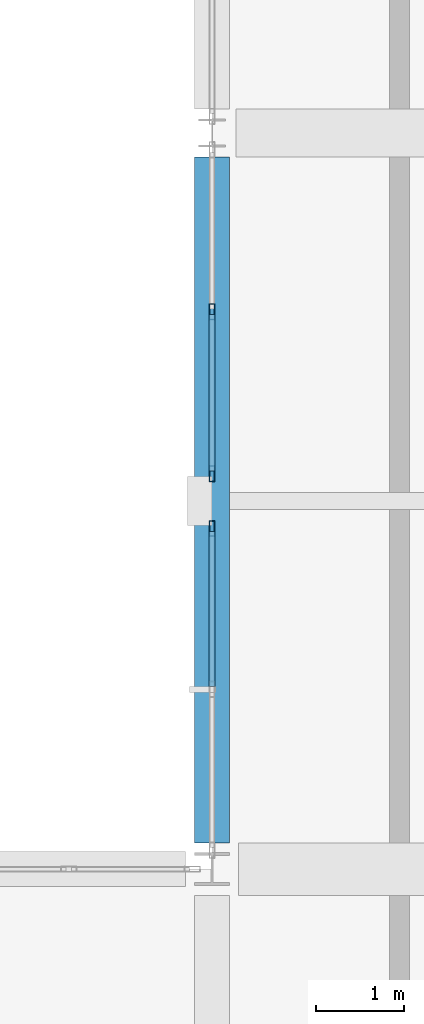
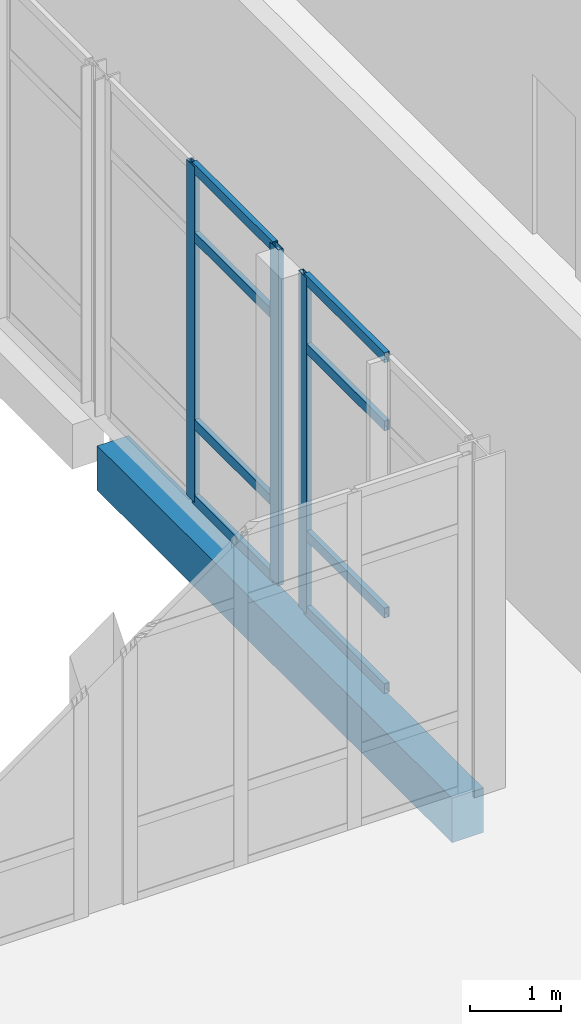
# One storey, part 21 of 102: 11 members, 1 beam, 2 elements without a shape of their own.
"""IFC4 building model written with IfcOpenShell, lengths in metres."""

import ifcopenshell
import ifcopenshell.guid

model = None  # the IFC model being written
_history = None  # IfcOwnerHistory: only IFC2X3 demands one
_inside = {}  # id of a spatial element -> (the spatial element, [elements in it])
_under = {}  # id of a project, library or spatial element -> (it, [spatial elements below it])
_declared = {}  # id of a project -> (the project, [libraries it declares])
_typed = {}  # id of a type object -> (the type object, [elements of that type])
_made_of = {}  # id of a material, layer set ... -> (it, [elements and type objects made of it])


def new_model(schema):
    """Start an empty IFC model of exactly this schema.

    Asked for "IFC4X3", IfcOpenShell would pick the latest addendum, in which some entities
    have other attributes; the version numbers below select the first issue.
    IFC2X3 requires an IfcOwnerHistory on every rooted entity: one is made here for all.
    """
    global model, _history
    if schema == "IFC4X3":
        model = ifcopenshell.file(schema_version=(4, 3, 0, 0))
    else:
        model = ifcopenshell.file(schema=schema)
    _inside.clear()
    _under.clear()
    _declared.clear()
    _typed.clear()
    _made_of.clear()
    _history = None
    if model.schema == "IFC2X3":
        org = make("IfcOrganization", Name="unknown")
        user = make(
            "IfcPersonAndOrganization",
            ThePerson=make("IfcPerson", FamilyName="unknown"),
            TheOrganization=org,
        )
        app = make(
            "IfcApplication",
            ApplicationDeveloper=org,
            Version="unknown",
            ApplicationFullName="unknown",
            ApplicationIdentifier="unknown",
        )
        _history = make(
            "IfcOwnerHistory",
            OwningUser=user,
            OwningApplication=app,
            ChangeAction="ADDED",
            CreationDate=0,
        )
    return model


def make(cls, **values):
    """One entity of the class cls with the attributes given. An attribute that is None is left unset."""
    return model.create_entity(
        cls, **{name: value for name, value in values.items() if value is not None}
    )


def rooted(cls, **values):
    """An entity with a GlobalId (a new one), such as an element, a storey or a relation."""
    return make(cls, GlobalId=ifcopenshell.guid.new(), OwnerHistory=_history, **values)


def si_unit(unit_type, name, prefix=None):
    """IfcSIUnit, for example si_unit("LENGTHUNIT", "METRE", prefix="MILLI")."""
    return make("IfcSIUnit", UnitType=unit_type, Prefix=prefix, Name=name)


def assignment(units):
    """IfcUnitAssignment: the units of a project."""
    return None if units is None else make("IfcUnitAssignment", Units=units)


def point(xyz):
    """IfcCartesianPoint."""
    return None if xyz is None else make("IfcCartesianPoint", Coordinates=xyz)


def direction(xyz):
    """IfcDirection."""
    return None if xyz is None else make("IfcDirection", DirectionRatios=xyz)


def frame(location, z_axis=None, x_axis=None):
    """IfcAxis2Placement3D, a coordinate frame: its origin and axes. An axis left out is left unset."""
    return make(
        "IfcAxis2Placement3D",
        Location=point(location),
        Axis=direction(z_axis),
        RefDirection=direction(x_axis),
    )


def frame_2d(location, x_axis=None):
    """IfcAxis2Placement2D, a coordinate frame in the plane: its origin and x axis."""
    return make(
        "IfcAxis2Placement2D", Location=point(location), RefDirection=direction(x_axis)
    )


def origin():
    """The frame at (0, 0, 0) with its axes left unset."""
    return frame((0.0, 0.0, 0.0))


def origin_2d():
    """The frame at (0, 0) in the plane with its x axis left unset."""
    return frame_2d((0.0, 0.0))


def place(relative_to, where):
    """IfcLocalPlacement: puts the frame where relative to a parent placement (None: the world)."""
    return make(
        "IfcLocalPlacement", PlacementRelTo=relative_to, RelativePlacement=where
    )


def context(
    kind, dimensions, precision=None, world=None, true_north=None, identifier=None
):
    """IfcGeometricRepresentationContext, for example the 3D "Model" context."""
    return make(
        "IfcGeometricRepresentationContext",
        ContextIdentifier=identifier,
        ContextType=kind,
        CoordinateSpaceDimension=dimensions,
        Precision=precision,
        WorldCoordinateSystem=world,
        TrueNorth=true_north,
    )


def subcontext(parent, identifier, kind, view, scale=None):
    """IfcGeometricRepresentationSubContext, for example "Body" below "Model"."""
    return make(
        "IfcGeometricRepresentationSubContext",
        ContextIdentifier=identifier,
        ContextType=kind,
        ParentContext=parent,
        TargetScale=scale,
        TargetView=view,
    )


def project(units=None, contexts=None):
    """IfcProject with its units and contexts."""
    return rooted(
        "IfcProject",
        Name="project",
        RepresentationContexts=contexts,
        UnitsInContext=assignment(units),
    )


def spatial(cls, under=None, at=None, **own):
    """A site, building, storey or space (cls), placed at a placement, below another one or the project."""
    s = rooted(cls, ObjectPlacement=at, **own)
    if under is not None:
        _under.setdefault(under.id(), (under, []))[1].append(s)
    return s


def profile(cls, at=None, kind="AREA", **sizes):
    """A parametric profile (cls). Its sizes go by their IFC names, for example OverallWidth=200.0."""
    return make(cls, ProfileType=kind, Position=at, **sizes)


def rectangle(**sizes):
    """IfcRectangleProfileDef."""
    return profile("IfcRectangleProfileDef", **sizes)


def hollow_rectangle(**sizes):
    """IfcRectangleHollowProfileDef."""
    return profile("IfcRectangleHollowProfileDef", **sizes)


def extrude(swept, where, along, depth):
    """IfcExtrudedAreaSolid: the profile swept, set in the frame where, extruded along a direction by depth."""
    return make(
        "IfcExtrudedAreaSolid",
        SweptArea=swept,
        Position=where,
        ExtrudedDirection=direction(along),
        Depth=depth,
    )


def shape(context_of_items, identifier, shape_type, items):
    """IfcShapeRepresentation: the items that make up one representation, for example the "Body"."""
    return make(
        "IfcShapeRepresentation",
        ContextOfItems=context_of_items,
        RepresentationIdentifier=identifier,
        RepresentationType=shape_type,
        Items=items,
    )


def material(Name=None, Category=None):
    """IfcMaterial."""
    return make("IfcMaterial", Name=Name, Category=Category)


def layer(
    of_material, thickness, ventilated=None, Name=None, Category=None, Priority=None
):
    """IfcMaterialLayer: one layer of a wall or slab, of a material (None: an air gap)."""
    return make(
        "IfcMaterialLayer",
        Material=of_material,
        LayerThickness=thickness,
        IsVentilated=ventilated,
        Name=Name,
        Category=Category,
        Priority=Priority,
    )


def layer_set(layers, Name=None):
    """IfcMaterialLayerSet."""
    return make("IfcMaterialLayerSet", MaterialLayers=layers, LayerSetName=Name)


def material_profile(
    of_material, cross_section, Name=None, Category=None, Priority=None
):
    """IfcMaterialProfile: a cross section and its material."""
    return make(
        "IfcMaterialProfile",
        Name=Name,
        Material=of_material,
        Profile=cross_section,
        Priority=Priority,
        Category=Category,
    )


def profile_set(profiles, Name=None, composite=None):
    """IfcMaterialProfileSet."""
    return make(
        "IfcMaterialProfileSet",
        Name=Name,
        MaterialProfiles=profiles,
        CompositeProfile=composite,
    )


def made_of(thing, what):
    """Note that an element or type object is made of a material, layer set ...; save() writes the relation."""
    if what is not None:
        _made_of.setdefault(what.id(), (what, []))[1].append(thing)
    return thing


def type_object(cls, material=None, **own):
    """A type object (cls), such as IfcWallType, which elements share."""
    return made_of(rooted(cls, **own), material)


def element(
    cls,
    number,
    at=None,
    inside=None,
    cuts=None,
    type_object=None,
    material=None,
    context=None,
    identifier="Body",
    shape_type=None,
    held_by="IfcProductDefinitionShape",
    body=None,
    shapes=None,
    **own,
):
    """One element of the class cls, such as IfcWall. Its Tag is "e" and its number.

    at: its placement. inside: the storey or other place that contains it. cuts: it is an
    opening in that element (IfcRelVoidsElement). A single representation is given by context,
    identifier, shape_type and body (its items); several are given by shapes. held_by: the class
    of the entity that holds the representations. save() writes the other relations.
    """
    e = rooted(cls, Tag="e%d" % number, ObjectPlacement=at, **own)
    if body is not None:
        shapes = [shape(context, identifier, shape_type, body)]
    if shapes is not None:
        e.Representation = make(held_by, Representations=shapes)
    if inside is not None:
        _inside.setdefault(inside.id(), (inside, []))[1].append(e)
    if cuts is not None:
        rooted(
            "IfcRelVoidsElement", RelatingBuildingElement=cuts, RelatedOpeningElement=e
        )
    if type_object is not None:
        _typed.setdefault(type_object.id(), (type_object, []))[1].append(e)
    return made_of(e, material)


def aggregate(whole, parts):
    """IfcRelAggregates: a whole, such as a stair, and the parts it consists of."""
    return rooted("IfcRelAggregates", RelatingObject=whole, RelatedObjects=parts)


def save(model, path):
    """Write the relations noted so far, then the file.

    IfcRelAggregates (storeys below a building ...), IfcRelContainedInSpatialStructure (elements
    in a storey), IfcRelDefinesByType, IfcRelAssociatesMaterial and IfcRelDeclares: one each for
    every whole, place, type object, material and project.
    """
    for whole, parts in _under.values():
        aggregate(whole, parts)
    for where, things in _inside.values():
        rooted(
            "IfcRelContainedInSpatialStructure",
            RelatedElements=things,
            RelatingStructure=where,
        )
    for kind, things in _typed.values():
        rooted("IfcRelDefinesByType", RelatedObjects=things, RelatingType=kind)
    for what, things in _made_of.values():
        rooted("IfcRelAssociatesMaterial", RelatedObjects=things, RelatingMaterial=what)
    for by, libraries in _declared.values():
        rooted("IfcRelDeclares", RelatingContext=by, RelatedDefinitions=libraries)
    model.write(path)


model = new_model("IFC4")

# Units and contexts
model_context = context("Model", 3, precision=1e-05, world=origin(), true_north=direction((0.0, 1.0)))
body_context = subcontext(model_context, "Body", "Model", "MODEL_VIEW")
ifc_project = project(units=[si_unit("LENGTHUNIT", "METRE"), si_unit("AREAUNIT", "SQUARE_METRE"), si_unit("VOLUMEUNIT", "CUBIC_METRE"), si_unit("PLANEANGLEUNIT", "RADIAN"), si_unit("MASSUNIT", "GRAM", prefix="KILO")], contexts=[model_context])

# Site, building, storey
site_placement = place(None, origin())
site = spatial("IfcSite", under=ifc_project, at=site_placement, CompositionType="ELEMENT")
building_placement = place(site_placement, origin())
building = spatial("IfcBuilding", under=site, at=building_placement, Name="Lornevale Opera House", CompositionType="ELEMENT")
storey_placement = place(building_placement, frame((0.0, 0.0, 5.39990234375)))
storey = spatial("IfcBuildingStorey", under=building, at=storey_placement, Name="L02", CompositionType="ELEMENT", Elevation=5.39990234375)

# Beam
ifc_material_1 = material(Name="Concrete 35 MPa (CSA A23.1 N)", Category="concrete")
ifc_material_profile_1 = material_profile(ifc_material_1, rectangle(XDim=0.39990234375, YDim=0.60009765625, at=origin_2d()), Name="RC400x600")
ifc_profile_set_1 = profile_set([ifc_material_profile_1], Name="Concrete 35 MPa (CSA A23.1 N)")
beam_type = type_object("IfcBeamType", Name="Concrete Spandrel Beam 400x600", PredefinedType="SPANDREL", material=ifc_profile_set_1)
beam_placement = place(storey_placement, frame((28.800048828125, 25.5, -0.599853515625), z_axis=(0.0, 1.0, 0.0), x_axis=(-1.0, 0.0, 0.0)))
element("IfcBeam", 1, at=beam_placement, inside=storey, type_object=beam_type, Name="Concrete Spandrel Beam 400x600 1848", PredefinedType="SPANDREL", context=body_context, shape_type="SweptSolid", body=[
    extrude(rectangle(XDim=0.39990234375, YDim=0.60009765625, at=origin_2d()), origin(), (0.0, 0.0, 1.0), 7.824951171875),
])

# Curtain wall, member
ifc_material_2 = material(Name="Anodized Oxide-Green Aluminium Framing", Category="aluminium")
ifc_layer = layer(ifc_material_2, 0.175048828125)
ifc_layer_set = layer_set([ifc_layer], Name="Anodized Oxide-Green Aluminium Framing")
curtain_wall_type = type_object("IfcCurtainWallType", Name="Chamber Cloister Curtain Wall M1700", PredefinedType="NOTDEFINED", material=ifc_layer_set)
curtain_wall_1_placement = place(storey_placement, origin())
curtain_wall_1 = element("IfcCurtainWall", 2, at=curtain_wall_1_placement, inside=storey, type_object=curtain_wall_type, Name="Chamber Cloister Curtain Wall M1700 CW-051", PredefinedType="NOTDEFINED")
ifc_material_profile_2 = material_profile(ifc_material_2, hollow_rectangle(XDim=0.06494140625, YDim=0.179931640625, WallThickness=0.0048828125, at=origin_2d()), Name="ALU65x180x5")
ifc_profile_set_2 = profile_set([ifc_material_profile_2], Name="Anodized Oxide-Green Aluminium Framing")
member_type_1 = type_object("IfcMemberType", Name="Curtain Wall Mullion 65x180", PredefinedType="MULLION", material=ifc_profile_set_2)
member_1_placement = place(storey_placement, frame((28.800048828125, 29.08740234375, 0.0), z_axis=(0.0, 0.0, 1.0), x_axis=(-1.0, 0.0, 0.0)))
member_1 = element("IfcMember", 3, at=member_1_placement, type_object=member_type_1, Name="Curtain Wall Mullion 65x180 CW1045", PredefinedType="MULLION", context=body_context, shape_type="SweptSolid", body=[
    extrude(hollow_rectangle(XDim=0.06494140625, YDim=0.179931640625, WallThickness=0.0048828125, at=origin_2d()), origin(), (0.0, 0.0, 1.0), 4.52001953125),
])

# Curtain wall, members
curtain_wall_2_placement = place(storey_placement, origin())
curtain_wall_2 = element("IfcCurtainWall", 4, at=curtain_wall_2_placement, inside=storey, type_object=curtain_wall_type, Name="Chamber Cloister Curtain Wall M1700 CW-052", PredefinedType="NOTDEFINED")
member_2_placement = place(storey_placement, frame((28.800048828125, 29.71240234375, 0.0), z_axis=(0.0, 0.0, 1.0), x_axis=(-1.0, 0.0, 0.0)))
member_2 = element("IfcMember", 5, at=member_2_placement, type_object=member_type_1, Name="Curtain Wall Mullion 65x180 CW1060", PredefinedType="MULLION", context=body_context, shape_type="SweptSolid", body=[
    extrude(hollow_rectangle(XDim=0.06494140625, YDim=0.179931640625, WallThickness=0.0048828125, at=origin_2d()), origin(), (0.0, 0.0, 1.0), 4.52001953125),
])
member_3_placement = place(storey_placement, frame((28.800048828125, 31.561279296875, 0.0), z_axis=(0.0, 0.0, 1.0), x_axis=(-1.0, 0.0, 0.0)))
member_3 = element("IfcMember", 6, at=member_3_placement, type_object=member_type_1, Name="Curtain Wall Mullion 65x180 CW1061", PredefinedType="MULLION", context=body_context, shape_type="SweptSolid", body=[
    extrude(hollow_rectangle(XDim=0.06494140625, YDim=0.179931640625, WallThickness=0.0048828125, at=origin_2d()), origin(), (0.0, 0.0, 1.0), 4.52001953125),
])

# Member
ifc_material_profile_3 = material_profile(ifc_material_2, hollow_rectangle(XDim=0.06494140625, YDim=0.135009765625, WallThickness=0.00390625, at=origin_2d()), Name="ALU65x135x4")
ifc_profile_set_3 = profile_set([ifc_material_profile_3], Name="Anodized Oxide-Green Aluminium Framing")
member_type_2 = type_object("IfcMemberType", Name="Curtain Wall Transom 65x135", PredefinedType="USERDEFINED", material=ifc_profile_set_3)
member_4_placement = place(storey_placement, frame((28.800048828125, 27.2841796875, 0.03271484375), z_axis=(0.0, 1.0, 0.0), x_axis=(-1.0, 0.0, 0.0)))
member_4 = element("IfcMember", 7, at=member_4_placement, type_object=member_type_2, Name="Curtain Wall Transom 65x135 CW1053", ObjectType="TRANSOM", PredefinedType="USERDEFINED", context=body_context, shape_type="SweptSolid", body=[
    extrude(hollow_rectangle(XDim=0.06494140625, YDim=0.135009765625, WallThickness=0.00390625, at=origin_2d()), origin(), (0.0, 0.0, 1.0), 1.770751953125),
])

member_5_placement = place(storey_placement, frame((28.800048828125, 27.2841796875, 1.050048828125), z_axis=(0.0, 1.0, 0.0), x_axis=(-1.0, 0.0, 0.0)))
member_5 = element("IfcMember", 8, at=member_5_placement, type_object=member_type_2, Name="Curtain Wall Transom 65x135 CW1054", ObjectType="TRANSOM", PredefinedType="USERDEFINED", context=body_context, shape_type="SweptSolid", body=[
    extrude(hollow_rectangle(XDim=0.06494140625, YDim=0.135009765625, WallThickness=0.00390625, at=origin_2d()), origin(), (0.0, 0.0, 1.0), 1.770751953125),
])

member_6_placement = place(storey_placement, frame((28.800048828125, 27.2841796875, 3.570068359375), z_axis=(0.0, 1.0, 0.0), x_axis=(-1.0, 0.0, 0.0)))
member_6 = element("IfcMember", 9, at=member_6_placement, type_object=member_type_2, Name="Curtain Wall Transom 65x135 CW1055", ObjectType="TRANSOM", PredefinedType="USERDEFINED", context=body_context, shape_type="SweptSolid", body=[
    extrude(hollow_rectangle(XDim=0.06494140625, YDim=0.135009765625, WallThickness=0.00390625, at=origin_2d()), origin(), (0.0, 0.0, 1.0), 1.770751953125),
])

member_7_placement = place(storey_placement, frame((28.800048828125, 27.2841796875, 4.487548828125), z_axis=(0.0, 1.0, 0.0), x_axis=(-1.0, 0.0, 0.0)))
member_7 = element("IfcMember", 10, at=member_7_placement, type_object=member_type_2, Name="Curtain Wall Transom 65x135 CW1056", ObjectType="TRANSOM", PredefinedType="USERDEFINED", context=body_context, shape_type="SweptSolid", body=[
    extrude(hollow_rectangle(XDim=0.06494140625, YDim=0.135009765625, WallThickness=0.00390625, at=origin_2d()), origin(), (0.0, 0.0, 1.0), 1.770751953125),
])

aggregate(curtain_wall_1, [member_1, member_4, member_5, member_6, member_7])

member_8_placement = place(storey_placement, frame((28.800048828125, 29.7451171875, 0.03271484375), z_axis=(0.0, 1.0, 0.0), x_axis=(-1.0, 0.0, 0.0)))
member_8 = element("IfcMember", 11, at=member_8_placement, type_object=member_type_2, Name="Curtain Wall Transom 65x135 CW1063", ObjectType="TRANSOM", PredefinedType="USERDEFINED", context=body_context, shape_type="SweptSolid", body=[
    extrude(hollow_rectangle(XDim=0.06494140625, YDim=0.135009765625, WallThickness=0.00390625, at=origin_2d()), origin(), (0.0, 0.0, 1.0), 1.78369140625),
])

member_9_placement = place(storey_placement, frame((28.800048828125, 29.7451171875, 1.050048828125), z_axis=(0.0, 1.0, 0.0), x_axis=(-1.0, 0.0, 0.0)))
member_9 = element("IfcMember", 12, at=member_9_placement, type_object=member_type_2, Name="Curtain Wall Transom 65x135 CW1064", ObjectType="TRANSOM", PredefinedType="USERDEFINED", context=body_context, shape_type="SweptSolid", body=[
    extrude(hollow_rectangle(XDim=0.06494140625, YDim=0.135009765625, WallThickness=0.00390625, at=origin_2d()), origin(), (0.0, 0.0, 1.0), 1.78369140625),
])

member_10_placement = place(storey_placement, frame((28.800048828125, 29.7451171875, 3.570068359375), z_axis=(0.0, 1.0, 0.0), x_axis=(-1.0, 0.0, 0.0)))
member_10 = element("IfcMember", 13, at=member_10_placement, type_object=member_type_2, Name="Curtain Wall Transom 65x135 CW1065", ObjectType="TRANSOM", PredefinedType="USERDEFINED", context=body_context, shape_type="SweptSolid", body=[
    extrude(hollow_rectangle(XDim=0.06494140625, YDim=0.135009765625, WallThickness=0.00390625, at=origin_2d()), origin(), (0.0, 0.0, 1.0), 1.78369140625),
])

member_11_placement = place(storey_placement, frame((28.800048828125, 29.7451171875, 4.487548828125), z_axis=(0.0, 1.0, 0.0), x_axis=(-1.0, 0.0, 0.0)))
member_11 = element("IfcMember", 14, at=member_11_placement, type_object=member_type_2, Name="Curtain Wall Transom 65x135 CW1066", ObjectType="TRANSOM", PredefinedType="USERDEFINED", context=body_context, shape_type="SweptSolid", body=[
    extrude(hollow_rectangle(XDim=0.06494140625, YDim=0.135009765625, WallThickness=0.00390625, at=origin_2d()), origin(), (0.0, 0.0, 1.0), 1.78369140625),
])

aggregate(curtain_wall_2, [member_2, member_3, member_8, member_9, member_10, member_11])

save(model, "model.ifc")
